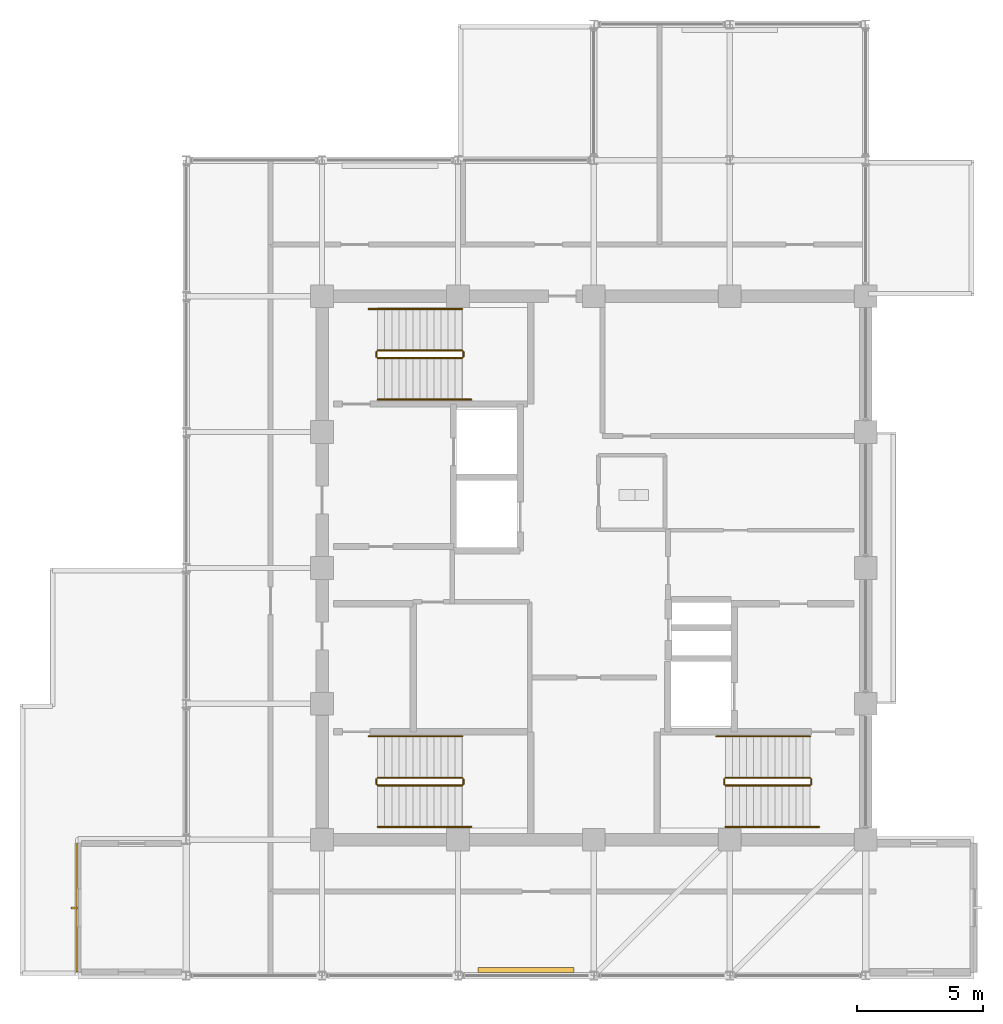
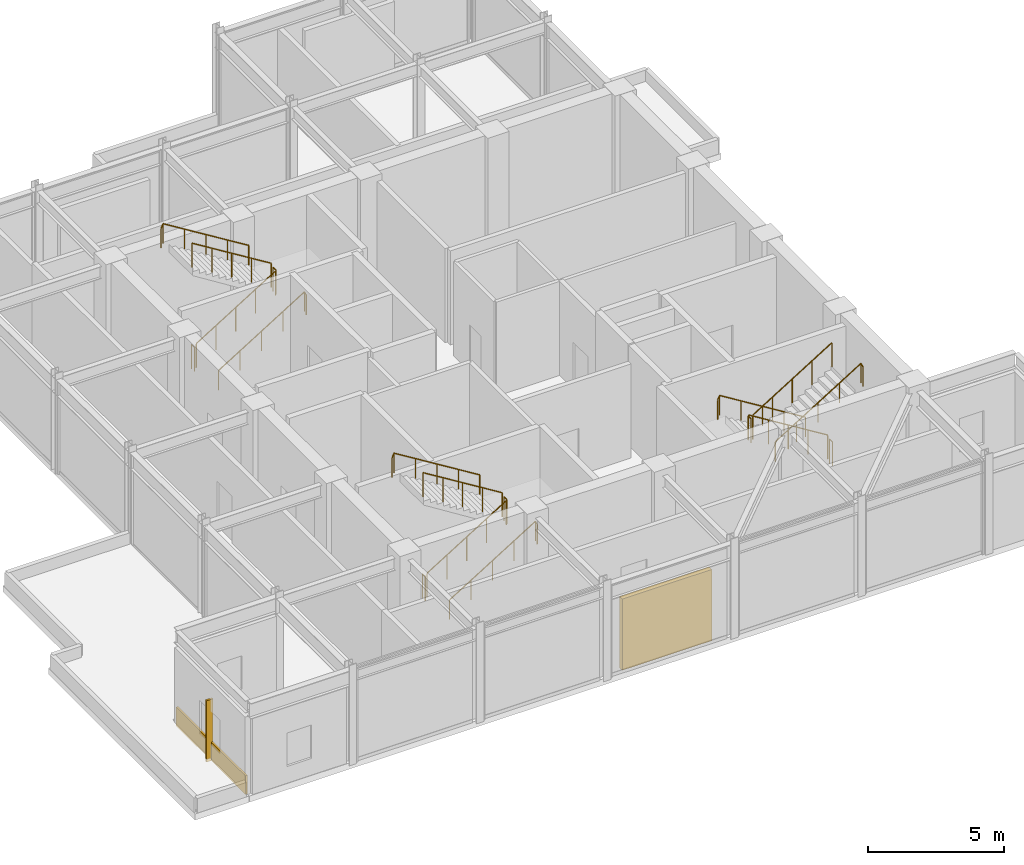
# One storey, part 16 of 18: 18 railings, 2 shading devices, 1 covering.
"""IFC4 building model written with IfcOpenShell, lengths in metres."""

import ifcopenshell
import ifcopenshell.guid

model = None  # the IFC model being written
_history = None  # IfcOwnerHistory: only IFC2X3 demands one
_inside = {}  # id of a spatial element -> (the spatial element, [elements in it])
_under = {}  # id of a project, library or spatial element -> (it, [spatial elements below it])
_declared = {}  # id of a project -> (the project, [libraries it declares])
_typed = {}  # id of a type object -> (the type object, [elements of that type])
_made_of = {}  # id of a material, layer set ... -> (it, [elements and type objects made of it])


def new_model(schema):
    """Start an empty IFC model of exactly this schema.

    Asked for "IFC4X3", IfcOpenShell would pick the latest addendum, in which some entities
    have other attributes; the version numbers below select the first issue.
    IFC2X3 requires an IfcOwnerHistory on every rooted entity: one is made here for all.
    """
    global model, _history
    if schema == "IFC4X3":
        model = ifcopenshell.file(schema_version=(4, 3, 0, 0))
    else:
        model = ifcopenshell.file(schema=schema)
    _inside.clear()
    _under.clear()
    _declared.clear()
    _typed.clear()
    _made_of.clear()
    _history = None
    if model.schema == "IFC2X3":
        org = make("IfcOrganization", Name="unknown")
        user = make(
            "IfcPersonAndOrganization",
            ThePerson=make("IfcPerson", FamilyName="unknown"),
            TheOrganization=org,
        )
        app = make(
            "IfcApplication",
            ApplicationDeveloper=org,
            Version="unknown",
            ApplicationFullName="unknown",
            ApplicationIdentifier="unknown",
        )
        _history = make(
            "IfcOwnerHistory",
            OwningUser=user,
            OwningApplication=app,
            ChangeAction="ADDED",
            CreationDate=0,
        )
    return model


def make(cls, **values):
    """One entity of the class cls with the attributes given. An attribute that is None is left unset."""
    return model.create_entity(
        cls, **{name: value for name, value in values.items() if value is not None}
    )


def rooted(cls, **values):
    """An entity with a GlobalId (a new one), such as an element, a storey or a relation."""
    return make(cls, GlobalId=ifcopenshell.guid.new(), OwnerHistory=_history, **values)


def si_unit(unit_type, name, prefix=None):
    """IfcSIUnit, for example si_unit("LENGTHUNIT", "METRE", prefix="MILLI")."""
    return make("IfcSIUnit", UnitType=unit_type, Prefix=prefix, Name=name)


def assignment(units):
    """IfcUnitAssignment: the units of a project."""
    return None if units is None else make("IfcUnitAssignment", Units=units)


def point(xyz):
    """IfcCartesianPoint."""
    return None if xyz is None else make("IfcCartesianPoint", Coordinates=xyz)


def direction(xyz):
    """IfcDirection."""
    return None if xyz is None else make("IfcDirection", DirectionRatios=xyz)


def frame(location, z_axis=None, x_axis=None):
    """IfcAxis2Placement3D, a coordinate frame: its origin and axes. An axis left out is left unset."""
    return make(
        "IfcAxis2Placement3D",
        Location=point(location),
        Axis=direction(z_axis),
        RefDirection=direction(x_axis),
    )


def frame_2d(location, x_axis=None):
    """IfcAxis2Placement2D, a coordinate frame in the plane: its origin and x axis."""
    return make(
        "IfcAxis2Placement2D", Location=point(location), RefDirection=direction(x_axis)
    )


def origin():
    """The frame at (0, 0, 0) with its axes left unset."""
    return frame((0.0, 0.0, 0.0))


def origin_2d():
    """The frame at (0, 0) in the plane with its x axis left unset."""
    return frame_2d((0.0, 0.0))


def place(relative_to, where):
    """IfcLocalPlacement: puts the frame where relative to a parent placement (None: the world)."""
    return make(
        "IfcLocalPlacement", PlacementRelTo=relative_to, RelativePlacement=where
    )


def context(
    kind, dimensions, precision=None, world=None, true_north=None, identifier=None
):
    """IfcGeometricRepresentationContext, for example the 3D "Model" context."""
    return make(
        "IfcGeometricRepresentationContext",
        ContextIdentifier=identifier,
        ContextType=kind,
        CoordinateSpaceDimension=dimensions,
        Precision=precision,
        WorldCoordinateSystem=world,
        TrueNorth=true_north,
    )


def subcontext(parent, identifier, kind, view, scale=None):
    """IfcGeometricRepresentationSubContext, for example "Body" below "Model"."""
    return make(
        "IfcGeometricRepresentationSubContext",
        ContextIdentifier=identifier,
        ContextType=kind,
        ParentContext=parent,
        TargetScale=scale,
        TargetView=view,
    )


def project(units=None, contexts=None):
    """IfcProject with its units and contexts."""
    return rooted(
        "IfcProject",
        Name="project",
        RepresentationContexts=contexts,
        UnitsInContext=assignment(units),
    )


def spatial(cls, under=None, at=None, **own):
    """A site, building, storey or space (cls), placed at a placement, below another one or the project."""
    s = rooted(cls, ObjectPlacement=at, **own)
    if under is not None:
        _under.setdefault(under.id(), (under, []))[1].append(s)
    return s


def profile(cls, at=None, kind="AREA", **sizes):
    """A parametric profile (cls). Its sizes go by their IFC names, for example OverallWidth=200.0."""
    return make(cls, ProfileType=kind, Position=at, **sizes)


def rectangle(**sizes):
    """IfcRectangleProfileDef."""
    return profile("IfcRectangleProfileDef", **sizes)


def circle(**sizes):
    """IfcCircleProfileDef."""
    return profile("IfcCircleProfileDef", **sizes)


def extrude(swept, where, along, depth):
    """IfcExtrudedAreaSolid: the profile swept, set in the frame where, extruded along a direction by depth."""
    return make(
        "IfcExtrudedAreaSolid",
        SweptArea=swept,
        Position=where,
        ExtrudedDirection=direction(along),
        Depth=depth,
    )


def shape(context_of_items, identifier, shape_type, items):
    """IfcShapeRepresentation: the items that make up one representation, for example the "Body"."""
    return make(
        "IfcShapeRepresentation",
        ContextOfItems=context_of_items,
        RepresentationIdentifier=identifier,
        RepresentationType=shape_type,
        Items=items,
    )


def material(Name=None, Category=None):
    """IfcMaterial."""
    return make("IfcMaterial", Name=Name, Category=Category)


def layer(
    of_material, thickness, ventilated=None, Name=None, Category=None, Priority=None
):
    """IfcMaterialLayer: one layer of a wall or slab, of a material (None: an air gap)."""
    return make(
        "IfcMaterialLayer",
        Material=of_material,
        LayerThickness=thickness,
        IsVentilated=ventilated,
        Name=Name,
        Category=Category,
        Priority=Priority,
    )


def layer_set(layers, Name=None):
    """IfcMaterialLayerSet."""
    return make("IfcMaterialLayerSet", MaterialLayers=layers, LayerSetName=Name)


def made_of(thing, what):
    """Note that an element or type object is made of a material, layer set ...; save() writes the relation."""
    if what is not None:
        _made_of.setdefault(what.id(), (what, []))[1].append(thing)
    return thing


def type_object(cls, material=None, **own):
    """A type object (cls), such as IfcWallType, which elements share."""
    return made_of(rooted(cls, **own), material)


def element(
    cls,
    number,
    at=None,
    inside=None,
    cuts=None,
    type_object=None,
    material=None,
    context=None,
    identifier="Body",
    shape_type=None,
    held_by="IfcProductDefinitionShape",
    body=None,
    shapes=None,
    **own,
):
    """One element of the class cls, such as IfcWall. Its Tag is "e" and its number.

    at: its placement. inside: the storey or other place that contains it. cuts: it is an
    opening in that element (IfcRelVoidsElement). A single representation is given by context,
    identifier, shape_type and body (its items); several are given by shapes. held_by: the class
    of the entity that holds the representations. save() writes the other relations.
    """
    e = rooted(cls, Tag="e%d" % number, ObjectPlacement=at, **own)
    if body is not None:
        shapes = [shape(context, identifier, shape_type, body)]
    if shapes is not None:
        e.Representation = make(held_by, Representations=shapes)
    if inside is not None:
        _inside.setdefault(inside.id(), (inside, []))[1].append(e)
    if cuts is not None:
        rooted(
            "IfcRelVoidsElement", RelatingBuildingElement=cuts, RelatedOpeningElement=e
        )
    if type_object is not None:
        _typed.setdefault(type_object.id(), (type_object, []))[1].append(e)
    return made_of(e, material)


def aggregate(whole, parts):
    """IfcRelAggregates: a whole, such as a stair, and the parts it consists of."""
    return rooted("IfcRelAggregates", RelatingObject=whole, RelatedObjects=parts)


def save(model, path):
    """Write the relations noted so far, then the file.

    IfcRelAggregates (storeys below a building ...), IfcRelContainedInSpatialStructure (elements
    in a storey), IfcRelDefinesByType, IfcRelAssociatesMaterial and IfcRelDeclares: one each for
    every whole, place, type object, material and project.
    """
    for whole, parts in _under.values():
        aggregate(whole, parts)
    for where, things in _inside.values():
        rooted(
            "IfcRelContainedInSpatialStructure",
            RelatedElements=things,
            RelatingStructure=where,
        )
    for kind, things in _typed.values():
        rooted("IfcRelDefinesByType", RelatedObjects=things, RelatingType=kind)
    for what, things in _made_of.values():
        rooted("IfcRelAssociatesMaterial", RelatedObjects=things, RelatingMaterial=what)
    for by, libraries in _declared.values():
        rooted("IfcRelDeclares", RelatingContext=by, RelatedDefinitions=libraries)
    model.write(path)


model = new_model("IFC4")

# Units and contexts
model_context = context("Model", 3, precision=1e-05, world=origin(), true_north=direction((0.0, 1.0)))
body_context = subcontext(model_context, "Body", "Model", "MODEL_VIEW")
ifc_project = project(units=[si_unit("LENGTHUNIT", "METRE"), si_unit("AREAUNIT", "SQUARE_METRE"), si_unit("VOLUMEUNIT", "CUBIC_METRE"), si_unit("PLANEANGLEUNIT", "RADIAN"), si_unit("MASSUNIT", "GRAM", prefix="KILO")], contexts=[model_context])

# Site, building, storey
site_placement = place(None, origin())
site = spatial("IfcSite", under=ifc_project, at=site_placement, CompositionType="ELEMENT")
building_placement = place(site_placement, origin())
building = spatial("IfcBuilding", under=site, at=building_placement, Name="Surkhivell Harbour Commons", CompositionType="ELEMENT")
storey_placement = place(building_placement, frame((0.0, 0.0, 351.0)))
storey = spatial("IfcBuildingStorey", under=building, at=storey_placement, Name="L91", CompositionType="ELEMENT", Elevation=351.0)

# Covering
ifc_material_1 = material(Name="Vermilion-coral enamelled aluminium cassette panel", Category="aluminium")
ifc_layer = layer(ifc_material_1, 0.074951171875)
ifc_layer_set = layer_set([ifc_layer], Name="Vermilion-coral enamelled aluminium cassette panel")
covering_type = type_object("IfcCoveringType", Name="COV-CLAD-VER", PredefinedType="CLADDING", material=ifc_layer_set)
covering_placement = place(storey_placement, frame((-20.5400390625, -13.5, 0.0), z_axis=(0.0, 0.0, 1.0), x_axis=(1.0, 0.0, 0.0)))
element("IfcCovering", 1, at=covering_placement, inside=storey, type_object=covering_type, Name="L91 Coloured-Panel Box Spandrel Cassette 02", PredefinedType="CLADDING", context=body_context, shape_type="SweptSolid", body=[
    extrude(rectangle(XDim=0.080078125, YDim=5.10009765625, at=origin_2d()), origin(), (0.0, 0.0, 1.0), 0.840087890625),
])

# Railings
ifc_material_2 = material(Name="Galvanised and painted steel S355 guard rail", Category="steel")
railing_type_1 = type_object("IfcRailingType", Name="RAL-ST-GRD1100", PredefinedType="GUARDRAIL", material=ifc_material_2)
railing_1_placement = place(storey_placement, frame((-8.590087890625, 8.340087890625, 0.173095703125)))
element("IfcRailing", 2, at=railing_1_placement, inside=storey, type_object=railing_type_1, Name="L91 ST1 stair guard 1", PredefinedType="GUARDRAIL", context=body_context, shape_type="SweptSolid", body=[
    extrude(circle(Radius=0.02392578125, at=origin_2d()), frame((0.0, 0.0, 1.076171875), z_axis=(0.850623216509, 0.0, 0.525775754039), x_axis=(0.0, 1.0, 0.0)), (0.0, 0.0, 1.0), 3.9501953125),
    extrude(circle(Radius=0.02099609375, at=origin_2d()), origin(), (0.0, 0.0, 1.0), 1.052001953125),
    extrude(circle(Radius=0.02099609375, at=origin_2d()), frame((0.840087890625, 0.0, 0.519287109375)), (0.0, 0.0, 1.0), 1.052001953125),
    extrude(circle(Radius=0.02099609375, at=origin_2d()), frame((1.68017578125, 0.0, 1.03857421875)), (0.0, 0.0, 1.0), 1.052001953125),
    extrude(circle(Radius=0.02099609375, at=origin_2d()), frame((2.52001953125, 0.0, 1.5576171875)), (0.0, 0.0, 1.0), 1.052001953125),
    extrude(circle(Radius=0.02099609375, at=origin_2d()), frame((3.360107421875, 0.0, 2.076904296875)), (0.0, 0.0, 1.0), 1.052001953125),
])
railing_2_placement = place(storey_placement, frame((-5.179931640625, 8.389892578125, 2.25)))
element("IfcRailing", 3, at=railing_2_placement, inside=storey, type_object=railing_type_1, Name="L91 ST1 stair guard 2", PredefinedType="GUARDRAIL", context=body_context, shape_type="SweptSolid", body=[
    extrude(circle(Radius=0.02392578125, at=origin_2d()), frame((0.0, 0.0, 1.076171875), z_axis=(0.0, 1.0, 0.0), x_axis=(-1.0, 0.0, 0.0)), (0.0, 0.0, 1.0), 0.2001953125),
    extrude(circle(Radius=0.02099609375, at=origin_2d()), origin(), (0.0, 0.0, 1.0), 1.052001953125),
    extrude(circle(Radius=0.02099609375, at=origin_2d()), frame((0.0, 0.2001953125, 0.0)), (0.0, 0.0, 1.0), 1.052001953125),
])
railing_3_placement = place(storey_placement, frame((-5.22998046875, 8.639892578125, 2.423095703125)))
element("IfcRailing", 4, at=railing_3_placement, inside=storey, type_object=railing_type_1, Name="L91 ST1 stair guard 3", PredefinedType="GUARDRAIL", context=body_context, shape_type="SweptSolid", body=[
    extrude(circle(Radius=0.02392578125, at=origin_2d()), frame((0.0, 0.0, 1.076171875), z_axis=(-0.850623216509, 0.0, 0.525775754039), x_axis=(0.0, -1.0, 0.0)), (0.0, 0.0, 1.0), 3.9501953125),
    extrude(circle(Radius=0.02099609375, at=origin_2d()), origin(), (0.0, 0.0, 1.0), 1.052001953125),
    extrude(circle(Radius=0.02099609375, at=origin_2d()), frame((-0.840087890625, 0.0, 0.519287109375)), (0.0, 0.0, 1.0), 1.052001953125),
    extrude(circle(Radius=0.02099609375, at=origin_2d()), frame((-1.68017578125, 0.0, 1.03857421875)), (0.0, 0.0, 1.0), 1.052001953125),
    extrude(circle(Radius=0.02099609375, at=origin_2d()), frame((-2.52001953125, 0.0, 1.5576171875)), (0.0, 0.0, 1.0), 1.052001953125),
    extrude(circle(Radius=0.02099609375, at=origin_2d()), frame((-3.360107421875, 0.0, 2.076904296875)), (0.0, 0.0, 1.0), 1.052001953125),
])
railing_4_placement = place(storey_placement, frame((-8.639892578125, 8.389892578125, 0.0)))
element("IfcRailing", 5, at=railing_4_placement, inside=storey, type_object=railing_type_1, Name="L91 ST1 stair guard 4", PredefinedType="GUARDRAIL", context=body_context, shape_type="SweptSolid", body=[
    extrude(circle(Radius=0.02392578125, at=origin_2d()), frame((0.0, 0.0, 1.076171875), z_axis=(0.0, 1.0, 0.0), x_axis=(-1.0, 0.0, 0.0)), (0.0, 0.0, 1.0), 0.2001953125),
    extrude(circle(Radius=0.02099609375, at=origin_2d()), origin(), (0.0, 0.0, 1.0), 1.052001953125),
    extrude(circle(Radius=0.02099609375, at=origin_2d()), frame((0.0, 0.2001953125, 0.0)), (0.0, 0.0, 1.0), 1.052001953125),
])
railing_5_placement = place(storey_placement, frame((8.590087890625, -8.340087890625, 0.173095703125)))
element("IfcRailing", 6, at=railing_5_placement, inside=storey, type_object=railing_type_1, Name="L91 ST2 stair guard 1", PredefinedType="GUARDRAIL", context=body_context, shape_type="SweptSolid", body=[
    extrude(circle(Radius=0.02392578125, at=origin_2d()), frame((0.0, 0.0, 1.076171875), z_axis=(-0.850623216509, 0.0, 0.525775754039), x_axis=(0.0, -1.0, 0.0)), (0.0, 0.0, 1.0), 3.9501953125),
    extrude(circle(Radius=0.02099609375, at=origin_2d()), origin(), (0.0, 0.0, 1.0), 1.052001953125),
    extrude(circle(Radius=0.02099609375, at=origin_2d()), frame((-0.840087890625, 0.0, 0.519287109375)), (0.0, 0.0, 1.0), 1.052001953125),
    extrude(circle(Radius=0.02099609375, at=origin_2d()), frame((-1.68017578125, 0.0, 1.03857421875)), (0.0, 0.0, 1.0), 1.052001953125),
    extrude(circle(Radius=0.02099609375, at=origin_2d()), frame((-2.52001953125, 0.0, 1.5576171875)), (0.0, 0.0, 1.0), 1.052001953125),
    extrude(circle(Radius=0.02099609375, at=origin_2d()), frame((-3.360107421875, 0.0, 2.076904296875)), (0.0, 0.0, 1.0), 1.052001953125),
])
railing_6_placement = place(storey_placement, frame((5.179931640625, -8.389892578125, 2.25)))
element("IfcRailing", 7, at=railing_6_placement, inside=storey, type_object=railing_type_1, Name="L91 ST2 stair guard 2", PredefinedType="GUARDRAIL", context=body_context, shape_type="SweptSolid", body=[
    extrude(circle(Radius=0.02392578125, at=origin_2d()), frame((0.0, 0.0, 1.076171875), z_axis=(0.0, -1.0, 0.0), x_axis=(1.0, 0.0, 0.0)), (0.0, 0.0, 1.0), 0.2001953125),
    extrude(circle(Radius=0.02099609375, at=origin_2d()), origin(), (0.0, 0.0, 1.0), 1.052001953125),
    extrude(circle(Radius=0.02099609375, at=origin_2d()), frame((0.0, -0.2001953125, 0.0)), (0.0, 0.0, 1.0), 1.052001953125),
])
railing_7_placement = place(storey_placement, frame((5.22998046875, -8.639892578125, 2.423095703125)))
element("IfcRailing", 8, at=railing_7_placement, inside=storey, type_object=railing_type_1, Name="L91 ST2 stair guard 3", PredefinedType="GUARDRAIL", context=body_context, shape_type="SweptSolid", body=[
    extrude(circle(Radius=0.02392578125, at=origin_2d()), frame((0.0, 0.0, 1.076171875), z_axis=(0.850623216509, 0.0, 0.525775754039), x_axis=(0.0, 1.0, 0.0)), (0.0, 0.0, 1.0), 3.9501953125),
    extrude(circle(Radius=0.02099609375, at=origin_2d()), origin(), (0.0, 0.0, 1.0), 1.052001953125),
    extrude(circle(Radius=0.02099609375, at=origin_2d()), frame((0.840087890625, 0.0, 0.519287109375)), (0.0, 0.0, 1.0), 1.052001953125),
    extrude(circle(Radius=0.02099609375, at=origin_2d()), frame((1.68017578125, 0.0, 1.03857421875)), (0.0, 0.0, 1.0), 1.052001953125),
    extrude(circle(Radius=0.02099609375, at=origin_2d()), frame((2.52001953125, 0.0, 1.5576171875)), (0.0, 0.0, 1.0), 1.052001953125),
    extrude(circle(Radius=0.02099609375, at=origin_2d()), frame((3.360107421875, 0.0, 2.076904296875)), (0.0, 0.0, 1.0), 1.052001953125),
])
railing_8_placement = place(storey_placement, frame((8.639892578125, -8.389892578125, 0.0)))
element("IfcRailing", 9, at=railing_8_placement, inside=storey, type_object=railing_type_1, Name="L91 ST2 stair guard 4", PredefinedType="GUARDRAIL", context=body_context, shape_type="SweptSolid", body=[
    extrude(circle(Radius=0.02392578125, at=origin_2d()), frame((0.0, 0.0, 1.076171875), z_axis=(0.0, -1.0, 0.0), x_axis=(1.0, 0.0, 0.0)), (0.0, 0.0, 1.0), 0.2001953125),
    extrude(circle(Radius=0.02099609375, at=origin_2d()), origin(), (0.0, 0.0, 1.0), 1.052001953125),
    extrude(circle(Radius=0.02099609375, at=origin_2d()), frame((0.0, -0.2001953125, 0.0)), (0.0, 0.0, 1.0), 1.052001953125),
])
railing_9_placement = place(storey_placement, frame((-8.590087890625, -8.639892578125, 0.173095703125)))
element("IfcRailing", 10, at=railing_9_placement, inside=storey, type_object=railing_type_1, Name="L91 ST3 stair guard 1", PredefinedType="GUARDRAIL", context=body_context, shape_type="SweptSolid", body=[
    extrude(circle(Radius=0.02392578125, at=origin_2d()), frame((0.0, 0.0, 1.076171875), z_axis=(0.850623216509, 0.0, 0.525775754039), x_axis=(0.0, 1.0, 0.0)), (0.0, 0.0, 1.0), 3.9501953125),
    extrude(circle(Radius=0.02099609375, at=origin_2d()), origin(), (0.0, 0.0, 1.0), 1.052001953125),
    extrude(circle(Radius=0.02099609375, at=origin_2d()), frame((0.840087890625, 0.0, 0.519287109375)), (0.0, 0.0, 1.0), 1.052001953125),
    extrude(circle(Radius=0.02099609375, at=origin_2d()), frame((1.68017578125, 0.0, 1.03857421875)), (0.0, 0.0, 1.0), 1.052001953125),
    extrude(circle(Radius=0.02099609375, at=origin_2d()), frame((2.52001953125, 0.0, 1.5576171875)), (0.0, 0.0, 1.0), 1.052001953125),
    extrude(circle(Radius=0.02099609375, at=origin_2d()), frame((3.360107421875, 0.0, 2.076904296875)), (0.0, 0.0, 1.0), 1.052001953125),
])
railing_10_placement = place(storey_placement, frame((-5.179931640625, -8.590087890625, 2.25)))
element("IfcRailing", 11, at=railing_10_placement, inside=storey, type_object=railing_type_1, Name="L91 ST3 stair guard 2", PredefinedType="GUARDRAIL", context=body_context, shape_type="SweptSolid", body=[
    extrude(circle(Radius=0.02392578125, at=origin_2d()), frame((0.0, 0.0, 1.076171875), z_axis=(0.0, 1.0, 0.0), x_axis=(-1.0, 0.0, 0.0)), (0.0, 0.0, 1.0), 0.2001953125),
    extrude(circle(Radius=0.02099609375, at=origin_2d()), origin(), (0.0, 0.0, 1.0), 1.052001953125),
    extrude(circle(Radius=0.02099609375, at=origin_2d()), frame((0.0, 0.2001953125, 0.0)), (0.0, 0.0, 1.0), 1.052001953125),
])
railing_11_placement = place(storey_placement, frame((-5.22998046875, -8.340087890625, 2.423095703125)))
element("IfcRailing", 12, at=railing_11_placement, inside=storey, type_object=railing_type_1, Name="L91 ST3 stair guard 3", PredefinedType="GUARDRAIL", context=body_context, shape_type="SweptSolid", body=[
    extrude(circle(Radius=0.02392578125, at=origin_2d()), frame((0.0, 0.0, 1.076171875), z_axis=(-0.850623216509, 0.0, 0.525775754039), x_axis=(0.0, -1.0, 0.0)), (0.0, 0.0, 1.0), 3.9501953125),
    extrude(circle(Radius=0.02099609375, at=origin_2d()), origin(), (0.0, 0.0, 1.0), 1.052001953125),
    extrude(circle(Radius=0.02099609375, at=origin_2d()), frame((-0.840087890625, 0.0, 0.519287109375)), (0.0, 0.0, 1.0), 1.052001953125),
    extrude(circle(Radius=0.02099609375, at=origin_2d()), frame((-1.68017578125, 0.0, 1.03857421875)), (0.0, 0.0, 1.0), 1.052001953125),
    extrude(circle(Radius=0.02099609375, at=origin_2d()), frame((-2.52001953125, 0.0, 1.5576171875)), (0.0, 0.0, 1.0), 1.052001953125),
    extrude(circle(Radius=0.02099609375, at=origin_2d()), frame((-3.360107421875, 0.0, 2.076904296875)), (0.0, 0.0, 1.0), 1.052001953125),
])
railing_12_placement = place(storey_placement, frame((-8.639892578125, -8.590087890625, 0.0)))
element("IfcRailing", 13, at=railing_12_placement, inside=storey, type_object=railing_type_1, Name="L91 ST3 stair guard 4", PredefinedType="GUARDRAIL", context=body_context, shape_type="SweptSolid", body=[
    extrude(circle(Radius=0.02392578125, at=origin_2d()), frame((0.0, 0.0, 1.076171875), z_axis=(0.0, 1.0, 0.0), x_axis=(-1.0, 0.0, 0.0)), (0.0, 0.0, 1.0), 0.2001953125),
    extrude(circle(Radius=0.02099609375, at=origin_2d()), origin(), (0.0, 0.0, 1.0), 1.052001953125),
    extrude(circle(Radius=0.02099609375, at=origin_2d()), frame((0.0, 0.2001953125, 0.0)), (0.0, 0.0, 1.0), 1.052001953125),
])
ifc_material_3 = material(Name="Brushed stainless steel S355 handrail", Category="steel")
railing_type_2 = type_object("IfcRailingType", Name="RAL-ST-HND900", PredefinedType="HANDRAIL", material=ifc_material_3)
railing_13_placement = place(storey_placement, frame((-8.590087890625, 6.68994140625, 0.173095703125)))
element("IfcRailing", 14, at=railing_13_placement, inside=storey, type_object=railing_type_2, Name="L91 ST1 stair handrail 1", PredefinedType="HANDRAIL", context=body_context, shape_type="SweptSolid", body=[
    extrude(circle(Radius=0.02392578125, at=origin_2d()), frame((0.0, 0.0, 0.8759765625), z_axis=(0.850622404505, 0.0, 0.525777067734), x_axis=(0.0, 1.0, 0.0)), (0.0, 0.0, 1.0), 4.279296875),
    extrude(circle(Radius=0.02392578125, at=origin_2d()), frame((3.64013671875, 0.0, 3.1259765625), z_axis=(0.418814502111, 0.0, -0.908071810388), x_axis=(0.0, 1.0, 0.0)), (0.0, 0.0, 1.0), 0.190673828125),
    extrude(circle(Radius=0.02099609375, at=origin_2d()), origin(), (0.0, 0.0, 1.0), 0.851806640625),
    extrude(circle(Radius=0.02099609375, at=origin_2d()), frame((0.91015625, 0.0, 0.5625)), (0.0, 0.0, 1.0), 0.851806640625),
    extrude(circle(Radius=0.02099609375, at=origin_2d()), frame((1.820068359375, 0.0, 1.125)), (0.0, 0.0, 1.0), 0.851806640625),
    extrude(circle(Radius=0.02099609375, at=origin_2d()), frame((2.72998046875, 0.0, 1.6875)), (0.0, 0.0, 1.0), 0.851806640625),
    extrude(circle(Radius=0.02099609375, at=origin_2d()), frame((3.64013671875, 0.0, 2.25)), (0.0, 0.0, 1.0), 0.851806640625),
    extrude(circle(Radius=0.02099609375, at=origin_2d()), frame((3.719970703125, 0.0, 2.076904296875)), (0.0, 0.0, 1.0), 0.851806640625),
])
for number, where, name in (
    (15, (-5.22998046875, 10.2900390625, 2.423095703125), "L91 ST1 stair handrail 2"),
    (16, (8.590087890625, -6.68994140625, 0.173095703125), "L91 ST2 stair handrail 1"),
):
    element("IfcRailing", number, at=place(storey_placement, frame(where)), inside=storey, type_object=railing_type_2, Name=name, PredefinedType="HANDRAIL", context=body_context, shape_type="SweptSolid", body=[
        extrude(circle(Radius=0.02392578125, at=origin_2d()), frame((0.0, 0.0, 0.8759765625), z_axis=(-0.850622404505, 0.0, 0.525777067734), x_axis=(0.0, -1.0, 0.0)), (0.0, 0.0, 1.0), 4.279296875),
        extrude(circle(Radius=0.02392578125, at=origin_2d()), frame((-3.64013671875, 0.0, 3.1259765625), z_axis=(-0.418814502111, 0.0, -0.908071810388), x_axis=(0.0, -1.0, 0.0)), (0.0, 0.0, 1.0), 0.190673828125),
        extrude(circle(Radius=0.02099609375, at=origin_2d()), origin(), (0.0, 0.0, 1.0), 0.851806640625),
        extrude(circle(Radius=0.02099609375, at=origin_2d()), frame((-0.91015625, 0.0, 0.5625)), (0.0, 0.0, 1.0), 0.851806640625),
        extrude(circle(Radius=0.02099609375, at=origin_2d()), frame((-1.820068359375, 0.0, 1.125)), (0.0, 0.0, 1.0), 0.851806640625),
        extrude(circle(Radius=0.02099609375, at=origin_2d()), frame((-2.72998046875, 0.0, 1.6875)), (0.0, 0.0, 1.0), 0.851806640625),
        extrude(circle(Radius=0.02099609375, at=origin_2d()), frame((-3.64013671875, 0.0, 2.25)), (0.0, 0.0, 1.0), 0.851806640625),
        extrude(circle(Radius=0.02099609375, at=origin_2d()), frame((-3.719970703125, 0.0, 2.076904296875)), (0.0, 0.0, 1.0), 0.851806640625),
    ])
for number, where, name in (
    (17, (5.22998046875, -10.2900390625, 2.423095703125), "L91 ST2 stair handrail 2"),
    (18, (-8.590087890625, -10.2900390625, 0.173095703125), "L91 ST3 stair handrail 1"),
):
    element("IfcRailing", number, at=place(storey_placement, frame(where)), inside=storey, type_object=railing_type_2, Name=name, PredefinedType="HANDRAIL", context=body_context, shape_type="SweptSolid", body=[
        extrude(circle(Radius=0.02392578125, at=origin_2d()), frame((0.0, 0.0, 0.8759765625), z_axis=(0.850622404505, 0.0, 0.525777067734), x_axis=(0.0, 1.0, 0.0)), (0.0, 0.0, 1.0), 4.279296875),
        extrude(circle(Radius=0.02392578125, at=origin_2d()), frame((3.64013671875, 0.0, 3.1259765625), z_axis=(0.418814502111, 0.0, -0.908071810388), x_axis=(0.0, 1.0, 0.0)), (0.0, 0.0, 1.0), 0.190673828125),
        extrude(circle(Radius=0.02099609375, at=origin_2d()), origin(), (0.0, 0.0, 1.0), 0.851806640625),
        extrude(circle(Radius=0.02099609375, at=origin_2d()), frame((0.91015625, 0.0, 0.5625)), (0.0, 0.0, 1.0), 0.851806640625),
        extrude(circle(Radius=0.02099609375, at=origin_2d()), frame((1.820068359375, 0.0, 1.125)), (0.0, 0.0, 1.0), 0.851806640625),
        extrude(circle(Radius=0.02099609375, at=origin_2d()), frame((2.72998046875, 0.0, 1.6875)), (0.0, 0.0, 1.0), 0.851806640625),
        extrude(circle(Radius=0.02099609375, at=origin_2d()), frame((3.64013671875, 0.0, 2.25)), (0.0, 0.0, 1.0), 0.851806640625),
        extrude(circle(Radius=0.02099609375, at=origin_2d()), frame((3.719970703125, 0.0, 2.076904296875)), (0.0, 0.0, 1.0), 0.851806640625),
    ])
railing_14_placement = place(storey_placement, frame((-5.22998046875, -6.68994140625, 2.423095703125)))
element("IfcRailing", 19, at=railing_14_placement, inside=storey, type_object=railing_type_2, Name="L91 ST3 stair handrail 2", PredefinedType="HANDRAIL", context=body_context, shape_type="SweptSolid", body=[
    extrude(circle(Radius=0.02392578125, at=origin_2d()), frame((0.0, 0.0, 0.8759765625), z_axis=(-0.850622404505, 0.0, 0.525777067734), x_axis=(0.0, -1.0, 0.0)), (0.0, 0.0, 1.0), 4.279296875),
    extrude(circle(Radius=0.02392578125, at=origin_2d()), frame((-3.64013671875, 0.0, 3.1259765625), z_axis=(-0.418814502111, 0.0, -0.908071810388), x_axis=(0.0, -1.0, 0.0)), (0.0, 0.0, 1.0), 0.190673828125),
    extrude(circle(Radius=0.02099609375, at=origin_2d()), origin(), (0.0, 0.0, 1.0), 0.851806640625),
    extrude(circle(Radius=0.02099609375, at=origin_2d()), frame((-0.91015625, 0.0, 0.5625)), (0.0, 0.0, 1.0), 0.851806640625),
    extrude(circle(Radius=0.02099609375, at=origin_2d()), frame((-1.820068359375, 0.0, 1.125)), (0.0, 0.0, 1.0), 0.851806640625),
    extrude(circle(Radius=0.02099609375, at=origin_2d()), frame((-2.72998046875, 0.0, 1.6875)), (0.0, 0.0, 1.0), 0.851806640625),
    extrude(circle(Radius=0.02099609375, at=origin_2d()), frame((-3.64013671875, 0.0, 2.25)), (0.0, 0.0, 1.0), 0.851806640625),
    extrude(circle(Radius=0.02099609375, at=origin_2d()), frame((-3.719970703125, 0.0, 2.076904296875)), (0.0, 0.0, 1.0), 0.851806640625),
])

# Shading devices
ifc_material_4 = material(Name="Champagne anodised aluminium solar fin", Category="aluminium")
shading_device_type_1 = type_object("IfcShadingDeviceType", Name="SHD-FIN-SLIM", PredefinedType="USERDEFINED", material=ifc_material_4)
shading_device_1_placement = place(storey_placement, frame((-20.639892578125, -13.5, 0.0048828125), z_axis=(0.0, 0.0, 1.0), x_axis=(1.0, 0.0, 0.0)))
element("IfcShadingDevice", 20, at=shading_device_1_placement, inside=storey, type_object=shading_device_type_1, Name="L91 Coloured-Box Solar Fin 02", ObjectType="FIN", PredefinedType="USERDEFINED", context=body_context, shape_type="SweptSolid", body=[
    extrude(rectangle(XDim=0.280029296875, YDim=0.080078125, at=origin_2d()), origin(), (0.0, 0.0, 1.0), 2.75),
])
ifc_material_5 = material(Name="Crown pale-metal storm louvre assembly", Category="aluminium")
shading_device_type_2 = type_object("IfcShadingDeviceType", Name="SHD-LOUV-CRN", PredefinedType="JALOUSIE", material=ifc_material_5)
shading_device_2_placement = place(storey_placement, frame((-2.699951171875, -15.97998046875, 0.0), z_axis=(0.0, 0.0, 1.0), x_axis=(1.0, 0.0, 0.0)))
element("IfcShadingDevice", 21, at=shading_device_2_placement, inside=storey, type_object=shading_device_type_2, Name="L91 Crown Acoustic Louvre Screen 05", PredefinedType="JALOUSIE", context=body_context, shape_type="SweptSolid", body=[
    extrude(rectangle(XDim=3.800048828125, YDim=0.199951171875, at=origin_2d()), origin(), (0.0, 0.0, 1.0), 3.199951171875),
])

save(model, "model.ifc")
